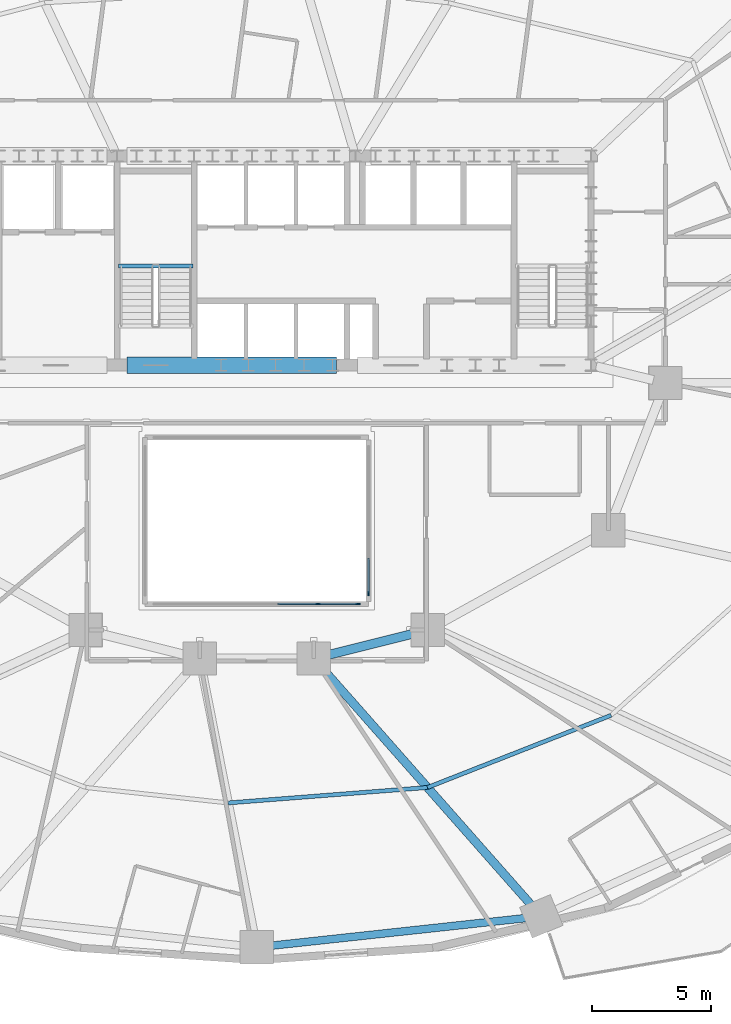
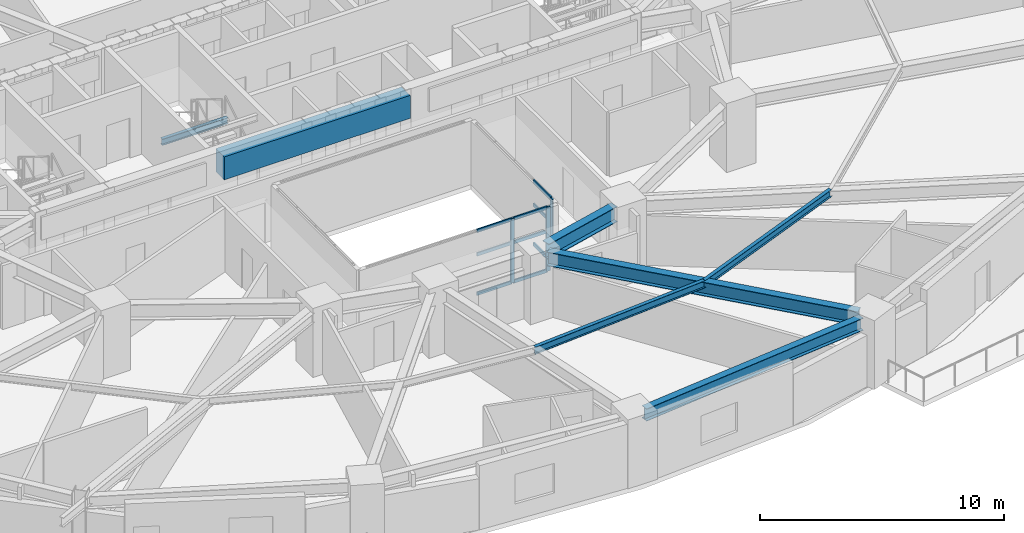
# One storey, part 5 of 17: 12 members, 7 beams, 2 elements without a shape of their own.
"""IFC4 building model written with IfcOpenShell, lengths in metres."""

from ifc_helpers import new_model, si_unit, direction, frame, origin, origin_2d, place, context, subcontext, project, spatial, rectangle, i_section, extrude, material, material_profile, profile_set, type_object, element, aggregate, save


model = new_model("IFC4")

# Units and contexts
model_context = context("Model", 3, precision=1e-05, world=origin(), true_north=direction((0.0, 1.0)))
body_context = subcontext(model_context, "Body", "Model", "MODEL_VIEW")
ifc_project = project(units=[si_unit("LENGTHUNIT", "METRE"), si_unit("AREAUNIT", "SQUARE_METRE"), si_unit("VOLUMEUNIT", "CUBIC_METRE"), si_unit("PLANEANGLEUNIT", "RADIAN"), si_unit("MASSUNIT", "GRAM", prefix="KILO")], contexts=[model_context])

# Site, building, storey
site_placement = place(None, origin())
site = spatial("IfcSite", under=ifc_project, at=site_placement, CompositionType="ELEMENT")
building_placement = place(site_placement, origin())
building = spatial("IfcBuilding", under=site, at=building_placement, Name="Haldorwick Loom Tower", CompositionType="ELEMENT")
storey_placement = place(building_placement, frame((0.0, 0.0, 51.60009765625)))
storey = spatial("IfcBuildingStorey", under=building, at=storey_placement, Name="L13", CompositionType="ELEMENT", Elevation=51.60009765625)

# Curtain wall, members
ifc_material_1 = material(Name="Thermally Broken Anodized Aluminium Curtain Wall Framing", Category="aluminium")
curtain_wall_type = type_object("IfcCurtainWallType", Name="ARC-CW-03", PredefinedType="NOTDEFINED", material=ifc_material_1)
curtain_wall_1_placement = place(storey_placement, origin())
curtain_wall_1 = element("IfcCurtainWall", 1, at=curtain_wall_1_placement, inside=storey, type_object=curtain_wall_type, Name="L13 Atrium Glazed Screen S", PredefinedType="NOTDEFINED")
ifc_material_profile_1 = material_profile(ifc_material_1, rectangle(XDim=0.06591796875, YDim=0.18505859375, at=origin_2d()), Name="ALU_MUL_66X185", Category="aluminium")
ifc_profile_set_1 = profile_set([ifc_material_profile_1], Name="Thermally Broken Anodized Aluminium Curtain Wall Framing")
member_type_1 = type_object("IfcMemberType", Name="ARC-CWM-03", PredefinedType="MULLION", material=ifc_profile_set_1)
member_1_placement = place(storey_placement, frame((40.26708984375, 16.699951171875, 0.0), z_axis=(0.0, 0.0, 1.0), x_axis=(0.0, -1.0, 0.0)))
member_1 = element("IfcMember", 2, at=member_1_placement, type_object=member_type_1, Name="CW-03 mullion 1", PredefinedType="MULLION", context=body_context, shape_type="SweptSolid", body=[
    extrude(rectangle(XDim=0.06591796875, YDim=0.18505859375, at=origin_2d()), origin(), (0.0, 0.0, 1.0), 3.2099609375),
])
member_2_placement = place(storey_placement, frame((38.580078125, 16.699951171875, 0.0), z_axis=(0.0, 0.0, 1.0), x_axis=(0.0, -1.0, 0.0)))
member_2 = element("IfcMember", 3, at=member_2_placement, type_object=member_type_1, Name="CW-03 mullion 2", PredefinedType="MULLION", context=body_context, shape_type="SweptSolid", body=[
    extrude(rectangle(XDim=0.06591796875, YDim=0.18505859375, at=origin_2d()), origin(), (0.0, 0.0, 1.0), 3.2099609375),
])

# Curtain wall, member
curtain_wall_2_placement = place(storey_placement, origin())
curtain_wall_2 = element("IfcCurtainWall", 4, at=curtain_wall_2_placement, inside=storey, type_object=curtain_wall_type, Name="L13 Atrium Glazed Screen E", PredefinedType="NOTDEFINED")
member_3_placement = place(storey_placement, frame((40.699951171875, 17.133056640625, 0.0), z_axis=(0.0, 0.0, 1.0), x_axis=(1.0, 0.0, 0.0)))
member_3 = element("IfcMember", 5, at=member_3_placement, type_object=member_type_1, Name="CW-03 mullion 5", PredefinedType="MULLION", context=body_context, shape_type="SweptSolid", body=[
    extrude(rectangle(XDim=0.06591796875, YDim=0.18505859375, at=origin_2d()), origin(), (0.0, 0.0, 1.0), 3.2099609375),
])

# Member
ifc_material_profile_2 = material_profile(ifc_material_1, rectangle(XDim=0.06591796875, YDim=0.1650390625, at=origin_2d()), Name="ALU_TRN_66X165", Category="aluminium")
ifc_profile_set_2 = profile_set([ifc_material_profile_2], Name="Thermally Broken Anodized Aluminium Curtain Wall Framing")
member_type_2 = type_object("IfcMemberType", Name="ARC-CWT-03", PredefinedType="USERDEFINED", material=ifc_profile_set_2)
member_4_placement = place(storey_placement, frame((40.23388671875, 16.699951171875, 0.032958984375), z_axis=(-1.0, 0.0, 0.0), x_axis=(0.0, -1.0, 0.0)))
member_4 = element("IfcMember", 6, at=member_4_placement, type_object=member_type_2, Name="CW-03 transom 1.1", ObjectType="TRANSOM", PredefinedType="USERDEFINED", context=body_context, shape_type="SweptSolid", body=[
    extrude(rectangle(XDim=0.06591796875, YDim=0.1650390625, at=origin_2d()), origin(), (0.0, 0.0, 1.0), 1.620849609375),
])

member_5_placement = place(storey_placement, frame((40.23388671875, 16.699951171875, 2.0), z_axis=(-1.0, 0.0, 0.0), x_axis=(0.0, -1.0, 0.0)))
member_5 = element("IfcMember", 7, at=member_5_placement, type_object=member_type_2, Name="CW-03 transom 1.2", ObjectType="TRANSOM", PredefinedType="USERDEFINED", context=body_context, shape_type="SweptSolid", body=[
    extrude(rectangle(XDim=0.06591796875, YDim=0.1650390625, at=origin_2d()), origin(), (0.0, 0.0, 1.0), 1.620849609375),
])

member_6_placement = place(storey_placement, frame((40.23388671875, 16.699951171875, 3.177001953125), z_axis=(-1.0, 0.0, 0.0), x_axis=(0.0, -1.0, 0.0)))
member_6 = element("IfcMember", 8, at=member_6_placement, type_object=member_type_2, Name="CW-03 transom 1.3", ObjectType="TRANSOM", PredefinedType="USERDEFINED", context=body_context, shape_type="SweptSolid", body=[
    extrude(rectangle(XDim=0.06591796875, YDim=0.1650390625, at=origin_2d()), origin(), (0.0, 0.0, 1.0), 1.620849609375),
])

member_7_placement = place(storey_placement, frame((38.547119140625, 16.699951171875, 0.032958984375), z_axis=(-1.0, 0.0, 0.0), x_axis=(0.0, -1.0, 0.0)))
member_7 = element("IfcMember", 9, at=member_7_placement, type_object=member_type_2, Name="CW-03 transom 2.1", ObjectType="TRANSOM", PredefinedType="USERDEFINED", context=body_context, shape_type="SweptSolid", body=[
    extrude(rectangle(XDim=0.06591796875, YDim=0.1650390625, at=origin_2d()), origin(), (0.0, 0.0, 1.0), 1.654052734375),
])

member_8_placement = place(storey_placement, frame((38.547119140625, 16.699951171875, 2.0), z_axis=(-1.0, 0.0, 0.0), x_axis=(0.0, -1.0, 0.0)))
member_8 = element("IfcMember", 10, at=member_8_placement, type_object=member_type_2, Name="CW-03 transom 2.2", ObjectType="TRANSOM", PredefinedType="USERDEFINED", context=body_context, shape_type="SweptSolid", body=[
    extrude(rectangle(XDim=0.06591796875, YDim=0.1650390625, at=origin_2d()), origin(), (0.0, 0.0, 1.0), 1.654052734375),
])

member_9_placement = place(storey_placement, frame((38.547119140625, 16.699951171875, 3.177001953125), z_axis=(-1.0, 0.0, 0.0), x_axis=(0.0, -1.0, 0.0)))
member_9 = element("IfcMember", 11, at=member_9_placement, type_object=member_type_2, Name="CW-03 transom 2.3", ObjectType="TRANSOM", PredefinedType="USERDEFINED", context=body_context, shape_type="SweptSolid", body=[
    extrude(rectangle(XDim=0.06591796875, YDim=0.1650390625, at=origin_2d()), origin(), (0.0, 0.0, 1.0), 1.654052734375),
])

aggregate(curtain_wall_1, [member_1, member_2, member_4, member_5, member_6, member_7, member_8, member_9])

member_10_placement = place(storey_placement, frame((40.699951171875, 18.616943359375, 0.032958984375), z_axis=(0.0, -1.0, 0.0), x_axis=(1.0, 0.0, 0.0)))
member_10 = element("IfcMember", 12, at=member_10_placement, type_object=member_type_2, Name="CW-03 transom 4.1", ObjectType="TRANSOM", PredefinedType="USERDEFINED", context=body_context, shape_type="SweptSolid", body=[
    extrude(rectangle(XDim=0.06591796875, YDim=0.1650390625, at=origin_2d()), origin(), (0.0, 0.0, 1.0), 1.450927734375),
])

member_11_placement = place(storey_placement, frame((40.699951171875, 18.616943359375, 2.0), z_axis=(0.0, -1.0, 0.0), x_axis=(1.0, 0.0, 0.0)))
member_11 = element("IfcMember", 13, at=member_11_placement, type_object=member_type_2, Name="CW-03 transom 4.2", ObjectType="TRANSOM", PredefinedType="USERDEFINED", context=body_context, shape_type="SweptSolid", body=[
    extrude(rectangle(XDim=0.06591796875, YDim=0.1650390625, at=origin_2d()), origin(), (0.0, 0.0, 1.0), 1.450927734375),
])

member_12_placement = place(storey_placement, frame((40.699951171875, 18.616943359375, 3.177001953125), z_axis=(0.0, -1.0, 0.0), x_axis=(1.0, 0.0, 0.0)))
member_12 = element("IfcMember", 14, at=member_12_placement, type_object=member_type_2, Name="CW-03 transom 4.3", ObjectType="TRANSOM", PredefinedType="USERDEFINED", context=body_context, shape_type="SweptSolid", body=[
    extrude(rectangle(XDim=0.06591796875, YDim=0.1650390625, at=origin_2d()), origin(), (0.0, 0.0, 1.0), 1.450927734375),
])

aggregate(curtain_wall_2, [member_3, member_10, member_11, member_12])

# Beams
ifc_material_2 = material(Name="Concrete C60 (60 MPa)", Category="concrete")
ifc_material_profile_3 = material_profile(ifc_material_2, rectangle(XDim=0.699951171875, YDim=1.14990234375, at=origin_2d()), Name="RC700X1150", Category="concrete")
ifc_profile_set_3 = profile_set([ifc_material_profile_3], Name="Concrete C60 (60 MPa)")
beam_type_1 = type_object("IfcBeamType", Name="STR-BM-CB1150", PredefinedType="LINTEL", material=ifc_profile_set_3)
beam_1_placement = place(storey_placement, frame((30.550048828125, 26.75, 2.635009765625), z_axis=(1.0, 0.0, 0.0), x_axis=(0.0, 1.0, 0.0)))
element("IfcBeam", 15, at=beam_1_placement, inside=storey, type_object=beam_type_1, Name="L13 Core Coupling Beam CB-S2", PredefinedType="LINTEL", context=body_context, shape_type="SweptSolid", body=[
    extrude(rectangle(XDim=0.699951171875, YDim=1.14990234375, at=origin_2d()), origin(), (0.0, 0.0, 1.0), 8.800048828125),
])
ifc_material_3 = material(Name="Steel CSA G40.21 350W", Category="steel")
ifc_material_profile_4 = material_profile(ifc_material_3, i_section(OverallWidth=0.172119140625, OverallDepth=0.35791015625, WebThickness=0.0078125, FlangeThickness=0.01318359375, at=origin_2d()), Name="W360X57", Category="steel")
ifc_profile_set_4 = profile_set([ifc_material_profile_4], Name="Steel CSA G40.21 350W")
beam_type_2 = type_object("IfcBeamType", Name="STR-BM-J360", PredefinedType="JOIST", material=ifc_profile_set_4)
beam_2_placement = place(storey_placement, frame((34.800048828125, 8.324951171875, 3.031005859375), z_axis=(0.99701252039, 0.077240107368, 0.0), x_axis=(-0.077240107368, 0.99701252039, 0.0)))
element("IfcBeam", 16, at=beam_2_placement, inside=storey, type_object=beam_type_2, Name="L13 Mid-Bay Secondary Joist 13", PredefinedType="JOIST", context=body_context, shape_type="SweptSolid", body=[
    extrude(i_section(OverallWidth=0.172119140625, OverallDepth=0.35791015625, WebThickness=0.0078125, FlangeThickness=0.01318359375, at=origin_2d()), origin(), (0.0, 0.0, 1.0), 8.4140625),
])
beam_3_placement = place(storey_placement, frame((43.18896484375, 8.974853515625, 3.031005859375), z_axis=(0.930584838237, 0.366076301941, 0.0), x_axis=(-0.366076301941, 0.930584838237, 0.0)))
element("IfcBeam", 17, at=beam_3_placement, inside=storey, type_object=beam_type_2, Name="L13 Mid-Bay Secondary Joist 14", PredefinedType="JOIST", context=body_context, shape_type="SweptSolid", body=[
    extrude(i_section(OverallWidth=0.172119140625, OverallDepth=0.35791015625, WebThickness=0.0078125, FlangeThickness=0.01318359375, at=origin_2d()), origin(), (0.0, 0.0, 1.0), 8.302490234375),
])
ifc_material_profile_5 = material_profile(ifc_material_3, i_section(OverallWidth=0.324951171875, OverallDepth=0.615966796875, WebThickness=0.013916015625, FlangeThickness=0.021484375, at=origin_2d()), Name="W610X174", Category="steel")
ifc_profile_set_5 = profile_set([ifc_material_profile_5], Name="Steel CSA G40.21 350W")
beam_type_3 = type_object("IfcBeamType", Name="STR-BM-SP610", PredefinedType="SPANDREL", material=ifc_profile_set_5)
beam_4_placement = place(storey_placement, frame((36.51708984375, 2.30615234375, 2.90185546875), z_axis=(0.994164438636, 0.107875247167, 0.0), x_axis=(-0.107875247167, 0.994164438636, 0.0)))
element("IfcBeam", 18, at=beam_4_placement, inside=storey, type_object=beam_type_3, Name="L13 Perimeter Spandrel 13", PredefinedType="SPANDREL", context=body_context, shape_type="SweptSolid", body=[
    extrude(i_section(OverallWidth=0.324951171875, OverallDepth=0.615966796875, WebThickness=0.013916015625, FlangeThickness=0.021484375, at=origin_2d()), origin(), (0.0, 0.0, 1.0), 11.008056640625),
])
ifc_material_profile_6 = material_profile(ifc_material_3, i_section(OverallWidth=0.166015625, OverallDepth=0.31298828125, WebThickness=0.006591796875, FlangeThickness=0.01123046875, at=origin_2d()), Name="W310X45", Category="steel")
ifc_profile_set_6 = profile_set([ifc_material_profile_6], Name="Steel CSA G40.21 350W")
beam_type_4 = type_object("IfcBeamType", Name="STR-BM-STRM", PredefinedType="BEAM", material=ifc_profile_set_6)
beam_5_placement = place(storey_placement, frame((30.18994140625, 30.919921875, 1.368408203125), z_axis=(1.0, 0.0, 0.0), x_axis=(0.0, 1.0, 0.0)))
element("IfcBeam", 19, at=beam_5_placement, inside=storey, type_object=beam_type_4, Name="L13 Stair ST-03 Half-Landing Trimmer 1", PredefinedType="BEAM", context=body_context, shape_type="SweptSolid", body=[
    extrude(i_section(OverallWidth=0.166015625, OverallDepth=0.31298828125, WebThickness=0.006591796875, FlangeThickness=0.01123046875, at=origin_2d()), origin(), (0.0, 0.0, 1.0), 3.1201171875),
])
ifc_material_profile_7 = material_profile(ifc_material_3, i_section(OverallWidth=0.35498046875, OverallDepth=0.695068359375, WebThickness=0.015380859375, FlangeThickness=0.02490234375, at=origin_2d()), Name="W690X217", Category="steel")
ifc_profile_set_7 = profile_set([ifc_material_profile_7], Name="Steel CSA G40.21 350W")
beam_type_5 = type_object("IfcBeamType", Name="STR-BM-W690", PredefinedType="BEAM", material=ifc_profile_set_7)
beam_6_placement = place(storey_placement, frame((38.744140625, 14.01025390625, 2.8623046875), z_axis=(0.661774304332, -0.749703121326, 0.0), x_axis=(0.749703121326, 0.661774304332, 0.0)))
element("IfcBeam", 20, at=beam_6_placement, inside=storey, type_object=beam_type_5, Name="L13 Radial Floor Girder 14", PredefinedType="BEAM", context=body_context, shape_type="SweptSolid", body=[
    extrude(i_section(OverallWidth=0.35498046875, OverallDepth=0.695068359375, WebThickness=0.015380859375, FlangeThickness=0.02490234375, at=origin_2d()), origin(), (0.0, 0.0, 1.0), 13.43310546875),
])
ifc_material_profile_8 = material_profile(ifc_material_3, i_section(OverallWidth=0.381103515625, OverallDepth=0.77294921875, WebThickness=0.0166015625, FlangeThickness=0.027587890625, at=origin_2d()), Name="W760X257", Category="steel")
ifc_profile_set_8 = profile_set([ifc_material_profile_8], Name="Steel CSA G40.21 350W")
beam_type_6 = type_object("IfcBeamType", Name="STR-BM-W760", PredefinedType="BEAM", material=ifc_profile_set_8)
beam_7_placement = place(storey_placement, frame((42.695556640625, 15.473876953125, 2.823486328125), z_axis=(-0.970142500145, -0.242535625036, 0.0), x_axis=(0.242535625036, -0.970142500145, 0.0)))
element("IfcBeam", 21, at=beam_7_placement, inside=storey, type_object=beam_type_6, Name="L13 Inner Ring Girder 4", PredefinedType="BEAM", context=body_context, shape_type="SweptSolid", body=[
    extrude(i_section(OverallWidth=0.381103515625, OverallDepth=0.77294921875, WebThickness=0.0166015625, FlangeThickness=0.027587890625, at=origin_2d()), origin(), (0.0, 0.0, 1.0), 3.90771484375),
])

save(model, "model.ifc")
